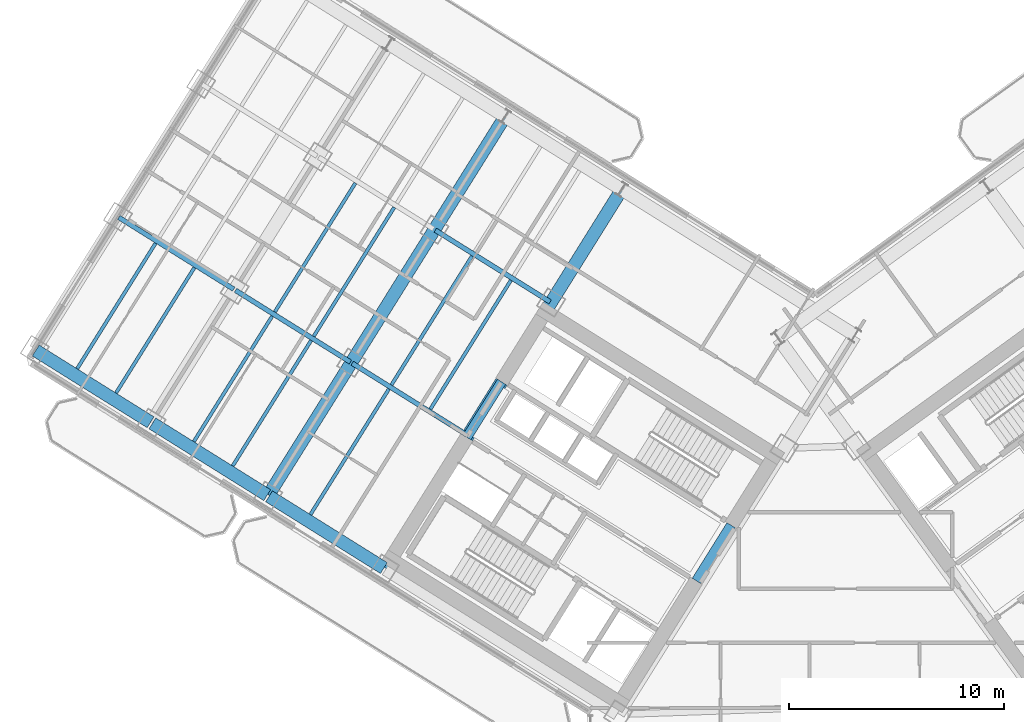
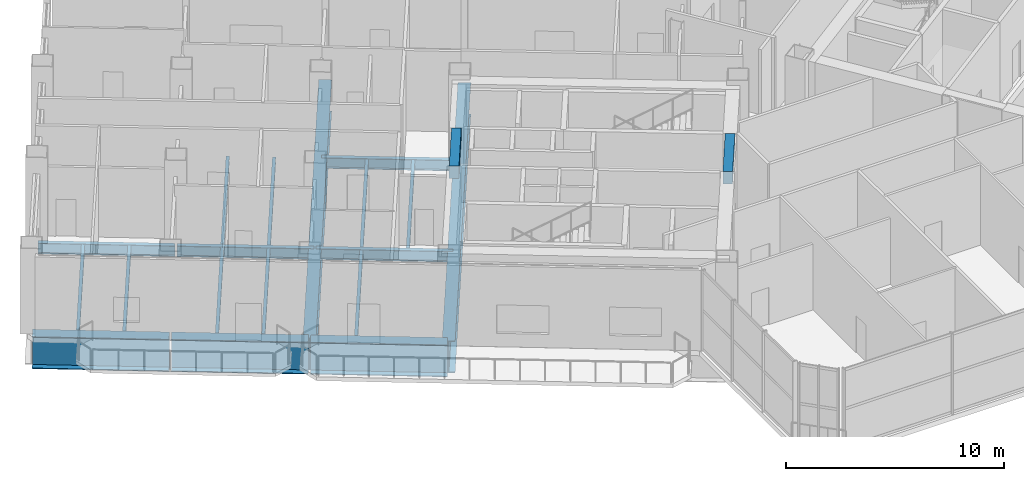
# One storey, part 6 of 22: 20 beams.
"""IFC4 building model written with IfcOpenShell, lengths in metres."""

from ifc_helpers import new_model, si_unit, direction, frame, origin, origin_2d, place, context, subcontext, project, spatial, rectangle, i_section, extrude, source, transform, mapped, material, material_profile, profile_set, type_object, element, save


model = new_model("IFC4")

# Units and contexts
model_context = context("Model", 3, precision=1e-05, world=origin(), true_north=direction((0.0, 1.0)))
body_context = subcontext(model_context, "Body", "Model", "MODEL_VIEW")
ifc_project = project(units=[si_unit("LENGTHUNIT", "METRE"), si_unit("AREAUNIT", "SQUARE_METRE"), si_unit("VOLUMEUNIT", "CUBIC_METRE"), si_unit("PLANEANGLEUNIT", "RADIAN"), si_unit("MASSUNIT", "GRAM", prefix="KILO")], contexts=[model_context])

# Site, building, storey
site_placement = place(None, origin())
site = spatial("IfcSite", under=ifc_project, at=site_placement, CompositionType="ELEMENT")
building_placement = place(site_placement, origin())
building = spatial("IfcBuilding", under=site, at=building_placement, Name="Tlacorven Tower", CompositionType="ELEMENT")
storey_placement = place(building_placement, frame((0.0, 0.0, 71.699951171875)))
storey = spatial("IfcBuildingStorey", under=building, at=storey_placement, Name="L18", CompositionType="ELEMENT", Elevation=71.699951171875)

# Beams
ifc_material_1 = material(Name="Concrete C60/75", Category="concrete")
ifc_material_profile_1 = material_profile(ifc_material_1, rectangle(XDim=0.449951171875, YDim=0.699951171875, at=origin_2d()), Name="RC 450X700")
ifc_profile_set_1 = profile_set([ifc_material_profile_1], Name="Concrete C60/75")
beam_type_1 = type_object("IfcBeamType", Name="BM-LNT-700", PredefinedType="LINTEL", material=ifc_profile_set_1)
shared_shape_1 = source(origin(), body_context, "Body", "SweptSolid", [
    extrude(rectangle(XDim=0.449951171875, YDim=0.699951171875, at=origin_2d()), origin(), (0.0, 0.0, 1.0), 3.050048828125),
])
beam_1_placement = place(storey_placement, frame((38.2998046875, 20.890625, 4.170166015625), z_axis=(-0.529984549635, -0.848007297815, 0.0), x_axis=(0.848007297815, -0.529984549635, 0.0)))
element("IfcBeam", 1, at=beam_1_placement, inside=storey, type_object=beam_type_1, Name="L18 W core coupling lintel beam E1", PredefinedType="LINTEL", context=body_context, shape_type="MappedRepresentation", body=[
    mapped(shared_shape_1, transform((0.0, 0.0, 0.0), scale=1.0)),
])
shared_shape_2 = source(origin(), body_context, "Body", "SweptSolid", [
    extrude(rectangle(XDim=0.449951171875, YDim=0.699951171875, at=origin_2d()), origin(), (0.0, 0.0, 1.0), 3.0498046875),
])
beam_2_placement = place(storey_placement, frame((27.622802734375, 27.562255859375, 4.170166015625), z_axis=(-0.529926983584, -0.848043272522, 0.0), x_axis=(0.848043272522, -0.529926983584, 0.0)))
element("IfcBeam", 2, at=beam_2_placement, inside=storey, type_object=beam_type_1, Name="L18 W core coupling lintel beam E2", PredefinedType="LINTEL", context=body_context, shape_type="MappedRepresentation", body=[
    mapped(shared_shape_2, transform((0.0, 0.0, 0.0), scale=1.0)),
])
ifc_material_2 = material(Name="Steel S460M", Category="steel")
ifc_material_profile_2 = material_profile(ifc_material_2, i_section(OverallWidth=0.60009765625, OverallDepth=1.800048828125, WebThickness=0.028076171875, FlangeThickness=0.0400390625, at=origin_2d()), Name="PG 1800X600X28X40")
ifc_profile_set_2 = profile_set([ifc_material_profile_2], Name="Steel S460M")
beam_type_2 = type_object("IfcBeamType", Name="BM-TRG-1800", PredefinedType="USERDEFINED", material=ifc_profile_set_2)
shared_shape_3 = source(origin(), body_context, "Body", "SweptSolid", [
    extrude(i_section(OverallWidth=0.60009765625, OverallDepth=1.800048828125, WebThickness=0.028076171875, FlangeThickness=0.0400390625, at=origin_2d()), origin(), (0.0, 0.0, 1.0), 20.719970703125),
])
for number, where, z_axis, x_axis, name in (
    (3, (33.192138671875, 36.475341796875, -1.179931640625), (-0.52991314706, -0.84805191856, 0.0), (0.84805191856, -0.52991314706, 0.0), "L18 beam BM-L18-WT3-1"),
    (4, (27.7646484375, 39.86669921875, -1.179931640625), (-0.52991314706, -0.84805191856, 0.0), (0.84805191856, -0.52991314706, 0.0), "L18 beam BM-L18-WT4-1"),
):
    element("IfcBeam", number, at=place(storey_placement, frame(where, z_axis=z_axis, x_axis=x_axis)), inside=storey, type_object=beam_type_2, Name=name, ObjectType="TRANSFER GIRDER", PredefinedType="USERDEFINED", context=body_context, shape_type="MappedRepresentation", body=[
        mapped(shared_shape_3, transform((0.0, 0.0, 0.0), scale=1.0)),
    ])
ifc_material_3 = material(Name="Steel S355J2", Category="steel")
ifc_material_profile_3 = material_profile(ifc_material_3, i_section(OverallWidth=0.159912109375, OverallDepth=0.330078125, WebThickness=0.007568359375, FlangeThickness=0.011474609375, at=origin_2d()), Name="IPE 330")
ifc_profile_set_3 = profile_set([ifc_material_profile_3], Name="Steel S355J2")
beam_type_3 = type_object("IfcBeamType", Name="BM-JST-330", PredefinedType="JOIST", material=ifc_profile_set_3)
shared_shape_4 = source(origin(), body_context, "Body", "SweptSolid", [
    extrude(i_section(OverallWidth=0.159912109375, OverallDepth=0.330078125, WebThickness=0.007568359375, FlangeThickness=0.011474609375, at=origin_2d()), origin(), (0.0, 0.0, 1.0), 7.070068359375),
])
for number, where, z_axis, x_axis, name in (
    (5, (28.057861328125, 32.284423828125, -0.445068359375), (-0.529915131461, -0.848050678585, 0.0), (0.848050678585, -0.529915131461, 0.0), "L18 beam BM-L18-WJ3-2-1"),
    (6, (22.63037109375, 35.67578125, -0.445068359375), (-0.529930649952, -0.848040981463, 0.0), (0.848040981463, -0.529930649952, 0.0), "L18 beam BM-L18-WJ4-2-1"),
    (7, (20.821044921875, 36.806396484375, -0.445068359375), (-0.529890296319, -0.84806619663, 0.0), (0.84806619663, -0.529890296319, 0.0), "L18 beam BM-L18-WJ4-2-2"),
):
    element("IfcBeam", number, at=place(storey_placement, frame(where, z_axis=z_axis, x_axis=x_axis)), inside=storey, type_object=beam_type_3, Name=name, PredefinedType="JOIST", context=body_context, shape_type="MappedRepresentation", body=[
        mapped(shared_shape_4, transform((0.0, 0.0, 0.0), scale=1.0)),
    ])
shared_shape_5 = source(origin(), body_context, "Body", "SweptSolid", [
    extrude(i_section(OverallWidth=0.159912109375, OverallDepth=0.330078125, WebThickness=0.007568359375, FlangeThickness=0.011474609375, at=origin_2d()), origin(), (0.0, 0.0, 1.0), 7.06982421875),
])
beam_3_placement = place(storey_placement, frame((26.24853515625, 33.414794921875, -0.445068359375), z_axis=(-0.52990581465, -0.84805650024, 0.0), x_axis=(0.84805650024, -0.52990581465, 0.0)))
element("IfcBeam", 8, at=beam_3_placement, inside=storey, type_object=beam_type_3, Name="L18 beam BM-L18-WJ3-2-2", PredefinedType="JOIST", context=body_context, shape_type="MappedRepresentation", body=[
    mapped(shared_shape_5, transform((0.0, 0.0, 0.0), scale=1.0)),
])
shared_shape_6 = source(origin(), body_context, "Body", "SweptSolid", [
    extrude(i_section(OverallWidth=0.60009765625, OverallDepth=1.800048828125, WebThickness=0.028076171875, FlangeThickness=0.0400390625, at=origin_2d()), origin(), (0.0, 0.0, 1.0), 6.300048828125),
])
for number, where, z_axis, x_axis, name in (
    (9, (22.148681640625, 18.896240234375, -1.179931640625), (-0.848041842361, 0.529929272267, 0.0), (-0.529929272267, -0.848041842361, 0.0), "L18 beam BM-L18-WL4-3"),
    (10, (16.72119140625, 22.287841796875, -1.179931640625), (-0.848059257352, 0.529901402168, 0.0), (-0.529901402168, -0.848059257352, 0.0), "L18 beam BM-L18-WL4-4"),
    (11, (11.293701171875, 25.67919921875, -1.179931640625), (-0.848041842361, 0.529929272267, 0.0), (-0.529929272267, -0.848041842361, 0.0), "L18 beam BM-L18-WL4-5"),
):
    element("IfcBeam", number, at=place(storey_placement, frame(where, z_axis=z_axis, x_axis=x_axis)), inside=storey, type_object=beam_type_2, Name=name, ObjectType="TRANSFER GIRDER", PredefinedType="USERDEFINED", context=body_context, shape_type="MappedRepresentation", body=[
        mapped(shared_shape_6, transform((0.0, 0.0, 0.0), scale=1.0)),
    ])
ifc_material_profile_4 = material_profile(ifc_material_3, i_section(OverallWidth=0.219970703125, OverallDepth=0.60009765625, WebThickness=0.011962890625, FlangeThickness=0.01904296875, at=origin_2d()), Name="IPE 600")
ifc_profile_set_4 = profile_set([ifc_material_profile_4], Name="Steel S355J2")
beam_type_4 = type_object("IfcBeamType", Name="BM-TWR-600", PredefinedType="BEAM", material=ifc_profile_set_4)
shared_shape_7 = source(origin(), body_context, "Body", "SweptSolid", [
    extrude(i_section(OverallWidth=0.219970703125, OverallDepth=0.60009765625, WebThickness=0.011962890625, FlangeThickness=0.01904296875, at=origin_2d()), origin(), (0.0, 0.0, 1.0), 6.300048828125),
])
for number, where, z_axis, x_axis, name in (
    (12, (29.885498046875, 31.27783203125, -0.579833984375), (-0.848041842361, 0.529929272267, 0.0), (-0.529929272267, -0.848041842361, 0.0), "L18 beam BM-L18-WL2-3"),
    (13, (26.01708984375, 25.087158203125, -0.579833984375), (-0.848059257352, 0.529901402168, 0.0), (-0.529901402168, -0.848059257352, 0.0), "L18 beam BM-L18-WL3-3"),
    (14, (20.589599609375, 28.478515625, -0.579833984375), (-0.848041842361, 0.529929272267, 0.0), (-0.529929272267, -0.848041842361, 0.0), "L18 beam BM-L18-WL3-4"),
    (15, (15.162109375, 31.8701171875, -0.579833984375), (-0.848059257352, 0.529901402168, 0.0), (-0.529901402168, -0.848059257352, 0.0), "L18 beam BM-L18-WL3-5"),
):
    element("IfcBeam", number, at=place(storey_placement, frame(where, z_axis=z_axis, x_axis=x_axis)), inside=storey, type_object=beam_type_4, Name=name, PredefinedType="BEAM", context=body_context, shape_type="MappedRepresentation", body=[
        mapped(shared_shape_7, transform((0.0, 0.0, 0.0), scale=1.0)),
    ])
shared_shape_8 = source(origin(), body_context, "Body", "SweptSolid", [
    extrude(i_section(OverallWidth=0.159912109375, OverallDepth=0.330078125, WebThickness=0.007568359375, FlangeThickness=0.011474609375, at=origin_2d()), origin(), (0.0, 0.0, 1.0), 6.880126953125),
])
for number, where, z_axis, x_axis, name in (
    (16, (22.380126953125, 27.22412109375, -0.445068359375), (-0.529900056373, -0.848060098257, 0.0), (0.848060098257, -0.529900056373, 0.0), "L18 beam BM-L18-WJ3-3-2"),
    (17, (18.761962890625, 29.485107421875, -0.445068359375), (-0.529900056373, -0.848060098257, 0.0), (0.848060098257, -0.529900056373, 0.0), "L18 beam BM-L18-WJ4-3-1"),
    (18, (11.525146484375, 34.007080078125, -0.445068359375), (-0.529900056373, -0.848060098257, 0.0), (0.848060098257, -0.529900056373, 0.0), "L18 beam BM-L18-WJ5-3-2"),
):
    element("IfcBeam", number, at=place(storey_placement, frame(where, z_axis=z_axis, x_axis=x_axis)), inside=storey, type_object=beam_type_3, Name=name, PredefinedType="JOIST", context=body_context, shape_type="MappedRepresentation", body=[
        mapped(shared_shape_8, transform((0.0, 0.0, 0.0), scale=1.0)),
    ])
shared_shape_9 = source(origin(), body_context, "Body", "SweptSolid", [
    extrude(i_section(OverallWidth=0.159912109375, OverallDepth=0.330078125, WebThickness=0.007568359375, FlangeThickness=0.011474609375, at=origin_2d()), origin(), (0.0, 0.0, 1.0), 6.8798828125),
])
for number, where, z_axis, x_axis, name in (
    (19, (16.95263671875, 30.615478515625, -0.445068359375), (-0.529916003337, -0.848050133782, 0.0), (0.848050133782, -0.529916003337, 0.0), "L18 beam BM-L18-WJ4-3-2"),
    (20, (13.33447265625, 32.87646484375, -0.445068359375), (-0.529941523931, -0.848034186347, 0.0), (0.848034186347, -0.529941523931, 0.0), "L18 beam BM-L18-WJ5-3-1"),
):
    element("IfcBeam", number, at=place(storey_placement, frame(where, z_axis=z_axis, x_axis=x_axis)), inside=storey, type_object=beam_type_3, Name=name, PredefinedType="JOIST", context=body_context, shape_type="MappedRepresentation", body=[
        mapped(shared_shape_9, transform((0.0, 0.0, 0.0), scale=1.0)),
    ])

save(model, "model.ifc")
